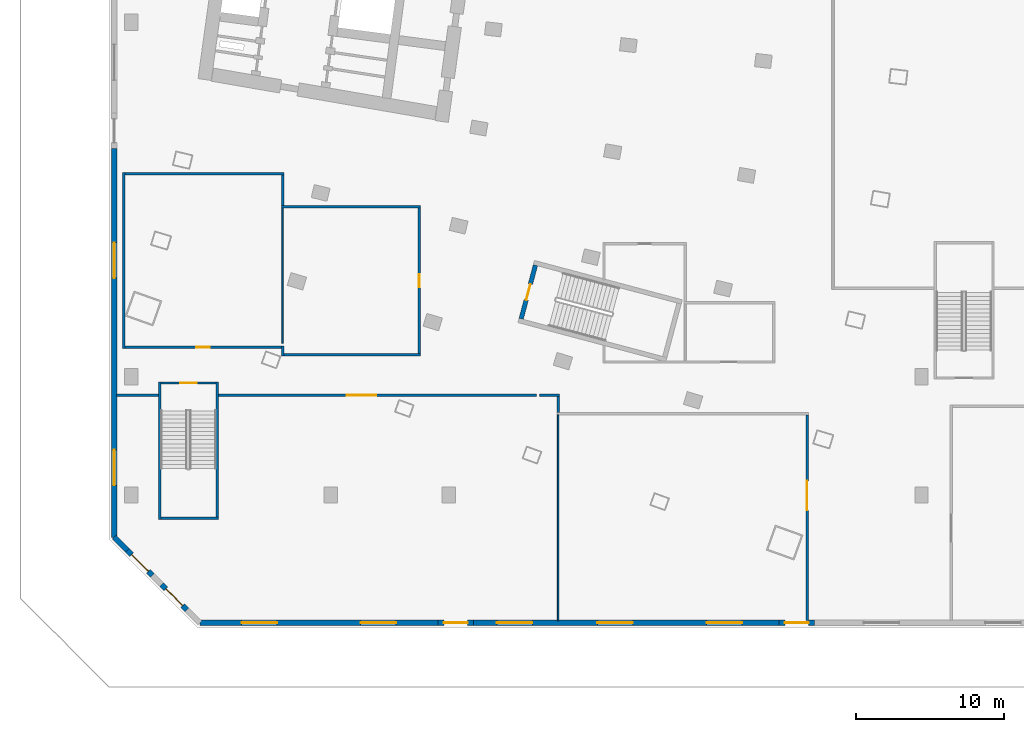
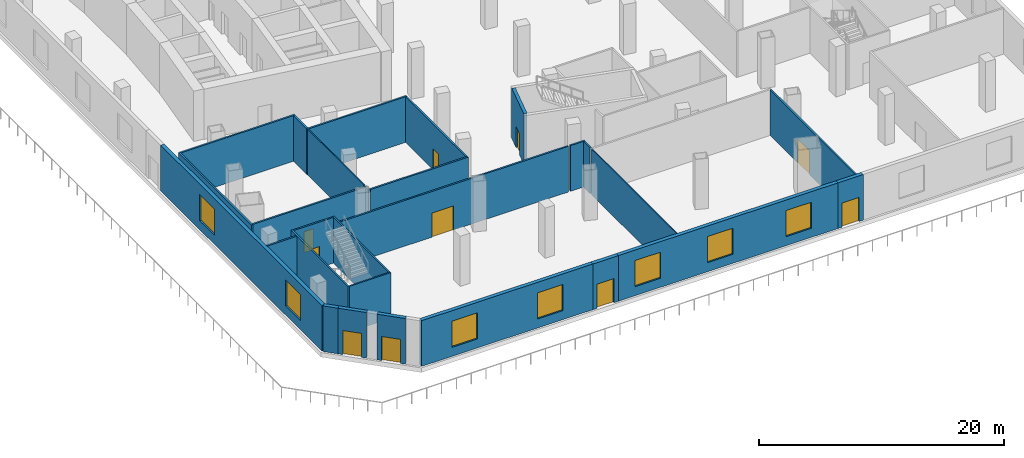
# One storey, part 2 of 15: 28 walls, 10 doors, 7 windows, 17 openings.
"""IFC4 building model written with IfcOpenShell, lengths in metres."""

from ifc_helpers import new_model, si_unit, direction, frame, frame_2d, origin, place, context, subcontext, project, spatial, rectangle, extrude, material, layer, layer_set, type_object, element, fill, save


model = new_model("IFC4")

# Units and contexts
model_context = context("Model", 3, precision=1e-05, world=origin(), true_north=direction((0.0, 1.0)))
body_context = subcontext(model_context, "Body", "Model", "MODEL_VIEW")
ifc_project = project(units=[si_unit("LENGTHUNIT", "METRE"), si_unit("AREAUNIT", "SQUARE_METRE"), si_unit("VOLUMEUNIT", "CUBIC_METRE"), si_unit("PLANEANGLEUNIT", "RADIAN"), si_unit("MASSUNIT", "GRAM", prefix="KILO")], contexts=[model_context])

# Site, building, storey
site_placement = place(None, origin())
site = spatial("IfcSite", under=ifc_project, at=site_placement, CompositionType="ELEMENT")
building_placement = place(site_placement, origin())
building = spatial("IfcBuilding", under=site, at=building_placement, Name="Alderwake Tower", CompositionType="ELEMENT")
storey_placement = place(building_placement, frame((0.0, 0.0, 13.5)))
storey = spatial("IfcBuildingStorey", under=building, at=storey_placement, Name="L02", CompositionType="ELEMENT", Elevation=13.5)

# Wall, opening, door
ifc_material_1 = material(Name="Concrete C70/85", Category="concrete")
ifc_layer_1 = layer(ifc_material_1, 0.300048828125)
ifc_layer_set_1 = layer_set([ifc_layer_1], Name="Core wall stair enclosure 300 C70-85")
wall_type_1 = type_object("IfcWallType", Name="Core wall stair enclosure 300 C70-85", PredefinedType="SHEAR", material=ifc_layer_set_1)
wall_1_placement = place(storey_placement, frame((36.89501953125, 27.923828125, 0.0), z_axis=(0.0, 0.0, 1.0), x_axis=(0.257350630826, 0.966318090907, 0.0)))
wall_1 = element("IfcWall", 1, at=wall_1_placement, inside=storey, type_object=wall_type_1, Name="Core wall CW.087", PredefinedType="SHEAR", context=body_context, shape_type="SweptSolid", body=[
    extrude(rectangle(XDim=3.75, YDim=0.300048828125, at=frame_2d((1.875, 0.0))), origin(), (0.0, 0.0, 1.0), 5.0),
])
opening_1_placement = place(wall_1_placement, frame((1.324951171875, 0.0, 0.0)))
opening_1 = element("IfcOpeningElement", 2, at=opening_1_placement, cuts=wall_1, Name="Opening C065", PredefinedType="OPENING", context=body_context, shape_type="SweptSolid", body=[
    extrude(rectangle(XDim=1.10009765625, YDim=2.10009765625, at=frame_2d((0.550048828125, 1.050048828125))), frame((0.0, 0.159912109375, 0.0), z_axis=(0.0, -1.0, 0.0), x_axis=(1.0, 0.0, 0.0)), (0.0, 0.0, 1.0), 0.320068359375),
])
ifc_material_2 = material(Name="Steel-framed fire door leaf", Category="steel")
door_type_1 = type_object("IfcDoorType", Name="Core stair door 1100 fire-rated", OperationType="SINGLE_SWING_LEFT", PredefinedType="DOOR", material=ifc_material_2)
door_1_placement = place(opening_1_placement, origin())
door_1 = element("IfcDoor", 3, at=door_1_placement, inside=storey, type_object=door_type_1, Name="Stair door", OperationType="SINGLE_SWING_LEFT", OverallHeight=2.10009765625, OverallWidth=1.10009765625, PredefinedType="DOOR", context=body_context, shape_type="SweptSolid", body=[
    extrude(rectangle(XDim=1.10009765625, YDim=2.10009765625, at=frame_2d((0.550048828125, 1.050048828125))), frame((0.0, 0.02490234375, 0.0), z_axis=(0.0, -1.0, 0.0), x_axis=(1.0, 0.0, 0.0)), (0.0, 0.0, 1.0), 0.050048828125),
])
fill(opening_1, door_1)

# Walls
ifc_material_3 = material(Name="Gypsum board on metal studs, rated")
ifc_layer_2 = layer(ifc_material_3, 0.159912109375)
ifc_layer_set_2 = layer_set([ifc_layer_2], Name="Corridor wall 160")
wall_type_2 = type_object("IfcWallType", Name="Corridor wall 160", PredefinedType="PARTITIONING", material=ifc_layer_set_2)
wall_2_placement = place(storey_placement, frame((9.5009765625, 22.7490234375, 0.0), z_axis=(0.0, 0.0, 1.0), x_axis=(1.0, 0.0, 0.0)))
element("IfcWall", 4, at=wall_2_placement, inside=storey, type_object=wall_type_2, Name="WL/L02/W21", PredefinedType="PARTITIONING", context=body_context, shape_type="SweptSolid", body=[
    extrude(rectangle(XDim=2.85009765625, YDim=0.159912109375, at=frame_2d((1.425048828125, 0.0))), origin(), (0.0, 0.0, 1.0), 4.550048828125),
])
wall_3_placement = place(storey_placement, frame((9.9990234375, 25.9208984375, 0.0), z_axis=(0.0, 0.0, 1.0), x_axis=(0.0, 1.0, 0.0)))
element("IfcWall", 5, at=wall_3_placement, inside=storey, type_object=wall_type_2, Name="WL/L02/W22", PredefinedType="PARTITIONING", context=body_context, shape_type="SweptSolid", body=[
    extrude(rectangle(XDim=11.908203125, YDim=0.159912109375, at=frame_2d((5.9541015625, 0.0))), origin(), (0.0, 0.0, 1.0), 4.550048828125),
])

# Wall, opening, door
wall_4_placement = place(storey_placement, frame((16.40087890625, 22.7490234375, 0.0), z_axis=(0.0, 0.0, 1.0), x_axis=(1.0, 0.0, 0.0)))
wall_4 = element("IfcWall", 6, at=wall_4_placement, inside=storey, type_object=wall_type_2, Name="WL/L02/W23", PredefinedType="PARTITIONING", context=body_context, shape_type="SweptSolid", body=[
    extrude(rectangle(XDim=21.51513671875, YDim=0.159912109375, at=frame_2d((10.757568359375, 0.0))), origin(), (0.0, 0.0, 1.0), 4.550048828125),
])
opening_2_placement = place(wall_4_placement, frame((8.674072265625, 0.0, 0.0)))
opening_2 = element("IfcOpeningElement", 7, at=opening_2_placement, cuts=wall_4, Name="Opening L02-10", PredefinedType="OPENING", context=body_context, shape_type="SweptSolid", body=[
    extrude(rectangle(XDim=2.0, YDim=2.39990234375, at=frame_2d((1.0, 1.199951171875))), frame((0.0, 0.08984375, 0.0), z_axis=(0.0, -1.0, 0.0), x_axis=(1.0, 0.0, 0.0)), (0.0, 0.0, 1.0), 0.179931640625),
])
ifc_material_4 = material(Name="Timber leaves with glazed panels", Category="wood")
door_type_2 = type_object("IfcDoorType", Name="Hall double door 2000", OperationType="DOUBLE_DOOR_SINGLE_SWING", PredefinedType="DOOR", material=ifc_material_4)
door_2_placement = place(opening_2_placement, origin())
door_2 = element("IfcDoor", 8, at=door_2_placement, inside=storey, type_object=door_type_2, Name="DR/L02/10", OperationType="DOUBLE_DOOR_SINGLE_SWING", OverallHeight=2.39990234375, OverallWidth=2.0, PredefinedType="DOOR", context=body_context, shape_type="SweptSolid", body=[
    extrude(rectangle(XDim=2.0, YDim=2.39990234375, at=frame_2d((1.0, 1.199951171875))), frame((0.0, 0.02490234375, 0.0), z_axis=(0.0, -1.0, 0.0), x_axis=(1.0, 0.0, 0.0)), (0.0, 0.0, 1.0), 0.050048828125),
])
fill(opening_2, door_2)

# Wall
wall_5_placement = place(storey_placement, frame((20.7509765625, 25.419921875, 0.0), z_axis=(0.0, 0.0, 1.0), x_axis=(0.0, 1.0, 0.0)))
element("IfcWall", 9, at=wall_5_placement, inside=storey, type_object=wall_type_2, Name="WL/L02/W26", PredefinedType="PARTITIONING", context=body_context, shape_type="SweptSolid", body=[
    extrude(rectangle(XDim=0.6611328125, YDim=0.159912109375, at=frame_2d((0.33056640625, 0.0))), origin(), (0.0, 0.0, 1.0), 4.550048828125),
])

# Wall, opening, door
wall_6_placement = place(storey_placement, frame((20.6708984375, 26.0009765625, 0.0), z_axis=(0.0, 0.0, 1.0), x_axis=(-1.0, 0.0, 0.0)))
wall_6 = element("IfcWall", 10, at=wall_6_placement, inside=storey, type_object=wall_type_2, Name="WL/L02/W27", PredefinedType="PARTITIONING", context=body_context, shape_type="SweptSolid", body=[
    extrude(rectangle(XDim=10.591796875, YDim=0.159912109375, at=frame_2d((5.2958984375, 0.0))), origin(), (0.0, 0.0, 1.0), 4.550048828125),
])
opening_3_placement = place(wall_6_placement, frame((4.87109375, 0.0, 0.0)))
opening_3 = element("IfcOpeningElement", 11, at=opening_3_placement, cuts=wall_6, Name="Opening L02-11", PredefinedType="OPENING", context=body_context, shape_type="SweptSolid", body=[
    extrude(rectangle(XDim=0.89990234375, YDim=2.10009765625, at=frame_2d((0.449951171875, 1.050048828125))), frame((0.0, 0.08984375, 0.0), z_axis=(0.0, -1.0, 0.0), x_axis=(1.0, 0.0, 0.0)), (0.0, 0.0, 1.0), 0.179931640625),
])
ifc_material_5 = material(Name="Painted timber leaf", Category="wood")
door_type_3 = type_object("IfcDoorType", Name="Room door 900", OperationType="SINGLE_SWING_LEFT", PredefinedType="DOOR", material=ifc_material_5)
door_3_placement = place(opening_3_placement, origin())
door_3 = element("IfcDoor", 12, at=door_3_placement, inside=storey, type_object=door_type_3, Name="DR/L02/11", OperationType="SINGLE_SWING_LEFT", OverallHeight=2.10009765625, OverallWidth=0.89990234375, PredefinedType="DOOR", context=body_context, shape_type="SweptSolid", body=[
    extrude(rectangle(XDim=0.89990234375, YDim=2.10009765625, at=frame_2d((0.449951171875, 1.050048828125))), frame((0.0, 0.02490234375, 0.0), z_axis=(0.0, -1.0, 0.0), x_axis=(1.0, 0.0, 0.0)), (0.0, 0.0, 1.0), 0.050048828125),
])
fill(opening_3, door_3)

# Walls
wall_7_placement = place(storey_placement, frame((20.6708984375, 35.4990234375, 0.0), z_axis=(0.0, 0.0, 1.0), x_axis=(1.0, 0.0, 0.0)))
element("IfcWall", 13, at=wall_7_placement, inside=storey, type_object=wall_type_2, Name="WL/L02/W28", PredefinedType="PARTITIONING", context=body_context, shape_type="SweptSolid", body=[
    extrude(rectangle(XDim=9.4091796875, YDim=0.159912109375, at=frame_2d((4.70458984375, 0.0))), origin(), (0.0, 0.0, 1.0), 4.550048828125),
])
wall_8_placement = place(storey_placement, frame((20.8310546875, 37.7490234375, 0.0), z_axis=(0.0, 0.0, 1.0), x_axis=(-1.0, 0.0, 0.0)))
element("IfcWall", 14, at=wall_8_placement, inside=storey, type_object=wall_type_2, Name="WL/L02/W29", PredefinedType="PARTITIONING", context=body_context, shape_type="SweptSolid", body=[
    extrude(rectangle(XDim=10.751953125, YDim=0.159912109375, at=frame_2d((5.3759765625, 0.0))), origin(), (0.0, 0.0, 1.0), 4.550048828125),
])
wall_9_placement = place(storey_placement, frame((20.7509765625, 37.6689453125, 0.0), z_axis=(0.0, 0.0, 1.0), x_axis=(0.0, -1.0, 0.0)))
element("IfcWall", 15, at=wall_9_placement, inside=storey, type_object=wall_type_2, Name="WL/L02/W30", PredefinedType="PARTITIONING", context=body_context, shape_type="SweptSolid", body=[
    extrude(rectangle(XDim=2.08984375, YDim=0.159912109375, at=frame_2d((1.044921875, 0.0))), origin(), (0.0, 0.0, 1.0), 4.550048828125),
])
wall_10_placement = place(storey_placement, frame((30.080078125, 25.5, 0.0), z_axis=(0.0, 0.0, 1.0), x_axis=(-1.0, 0.0, 0.0)))
element("IfcWall", 16, at=wall_10_placement, inside=storey, type_object=wall_type_2, Name="WL/L02/W31", PredefinedType="PARTITIONING", context=body_context, shape_type="SweptSolid", body=[
    extrude(rectangle(XDim=9.2490234375, YDim=0.159912109375, at=frame_2d((4.62451171875, 0.0))), origin(), (0.0, 0.0, 1.0), 4.550048828125),
])

# Wall, opening, door
wall_11_placement = place(storey_placement, frame((30.0, 35.4189453125, 0.0), z_axis=(0.0, 0.0, 1.0), x_axis=(0.0, -1.0, 0.0)))
wall_11 = element("IfcWall", 17, at=wall_11_placement, inside=storey, type_object=wall_type_2, Name="WL/L02/W32", PredefinedType="PARTITIONING", context=body_context, shape_type="SweptSolid", body=[
    extrude(rectangle(XDim=9.8388671875, YDim=0.159912109375, at=frame_2d((4.91943359375, 0.0))), origin(), (0.0, 0.0, 1.0), 4.550048828125),
])
opening_4_placement = place(wall_11_placement, frame((4.468994140625, 0.0, 0.0)))
opening_4 = element("IfcOpeningElement", 18, at=opening_4_placement, cuts=wall_11, Name="Opening L02-12", PredefinedType="OPENING", context=body_context, shape_type="SweptSolid", body=[
    extrude(rectangle(XDim=0.89990234375, YDim=2.10009765625, at=frame_2d((0.449951171875, 1.050048828125))), frame((0.0, 0.08984375, 0.0), z_axis=(0.0, -1.0, 0.0), x_axis=(1.0, 0.0, 0.0)), (0.0, 0.0, 1.0), 0.179931640625),
])
door_4_placement = place(opening_4_placement, origin())
door_4 = element("IfcDoor", 19, at=door_4_placement, inside=storey, type_object=door_type_3, Name="DR/L02/12", OperationType="SINGLE_SWING_LEFT", OverallHeight=2.10009765625, OverallWidth=0.89990234375, PredefinedType="DOOR", context=body_context, shape_type="SweptSolid", body=[
    extrude(rectangle(XDim=0.89990234375, YDim=2.10009765625, at=frame_2d((0.449951171875, 1.050048828125))), frame((0.0, 0.02490234375, 0.0), z_axis=(0.0, -1.0, 0.0), x_axis=(1.0, 0.0, 0.0)), (0.0, 0.0, 1.0), 0.050048828125),
])
fill(opening_4, door_4)

# Walls
wall_12_placement = place(storey_placement, frame((38.123779296875, 22.7490234375, 0.0), z_axis=(0.0, 0.0, 1.0), x_axis=(1.0, 0.0, 0.0)))
element("IfcWall", 20, at=wall_12_placement, inside=storey, type_object=wall_type_2, Name="WL/L02/W37", PredefinedType="PARTITIONING", context=body_context, shape_type="SweptSolid", body=[
    extrude(rectangle(XDim=1.355224609375, YDim=0.159912109375, at=frame_2d((0.677734375, 0.0))), origin(), (0.0, 0.0, 1.0), 4.550048828125),
])
wall_13_placement = place(storey_placement, frame((39.39892578125, 22.6689453125, 0.0), z_axis=(0.0, 0.0, 1.0), x_axis=(0.0, -1.0, 0.0)))
element("IfcWall", 21, at=wall_13_placement, inside=storey, type_object=wall_type_2, Name="WL/L02/W39", PredefinedType="PARTITIONING", context=body_context, shape_type="SweptSolid", body=[
    extrude(rectangle(XDim=1.087890625, YDim=0.159912109375, at=frame_2d((0.5439453125, 0.0))), origin(), (0.0, 0.0, 1.0), 4.550048828125),
])

# Wall, opening, door
wall_14_placement = place(storey_placement, frame((56.25, 21.4208984375, 0.0), z_axis=(0.0, 0.0, 1.0), x_axis=(0.0, -1.0, 0.0)))
wall_14 = element("IfcWall", 22, at=wall_14_placement, inside=storey, type_object=wall_type_2, Name="WL/L02/W48", PredefinedType="PARTITIONING", context=body_context, shape_type="SweptSolid", body=[
    extrude(rectangle(XDim=13.9208984375, YDim=0.159912109375, at=frame_2d((6.96044921875, 0.0))), origin(), (0.0, 0.0, 1.0), 4.550048828125),
])
opening_5_placement = place(wall_14_placement, frame((4.470947265625, 0.0, 0.0)))
opening_5 = element("IfcOpeningElement", 23, at=opening_5_placement, cuts=wall_14, Name="Opening L02-09", PredefinedType="OPENING", context=body_context, shape_type="SweptSolid", body=[
    extrude(rectangle(XDim=2.0, YDim=2.39990234375, at=frame_2d((1.0, 1.199951171875))), frame((0.0, 0.08984375, 0.0), z_axis=(0.0, -1.0, 0.0), x_axis=(1.0, 0.0, 0.0)), (0.0, 0.0, 1.0), 0.179931640625),
])
door_5_placement = place(opening_5_placement, origin())
door_5 = element("IfcDoor", 24, at=door_5_placement, inside=storey, type_object=door_type_2, Name="DR/L02/09", OperationType="DOUBLE_DOOR_SINGLE_SWING", OverallHeight=2.39990234375, OverallWidth=2.0, PredefinedType="DOOR", context=body_context, shape_type="SweptSolid", body=[
    extrude(rectangle(XDim=2.0, YDim=2.39990234375, at=frame_2d((1.0, 1.199951171875))), frame((0.0, 0.02490234375, 0.0), z_axis=(0.0, -1.0, 0.0), x_axis=(1.0, 0.0, 0.0)), (0.0, 0.0, 1.0), 0.050048828125),
])
fill(opening_5, door_5)

# Wall, openings, windows
ifc_material_6 = material(Name="Precast concrete C50/60 spandrel panel", Category="concrete")
ifc_layer_3 = layer(ifc_material_6, 0.35009765625)
ifc_layer_set_3 = layer_set([ifc_layer_3], Name="External wall EW4 Precast concrete C50/60 podium")
wall_type_3 = type_object("IfcWallType", Name="External wall EW4 Precast concrete C50/60 podium", PredefinedType="SOLIDWALL", material=ifc_layer_set_3)
wall_15_placement = place(storey_placement, frame((15.14501953125, 7.35009765625, 0.0), z_axis=(0.0, 0.0, 1.0), x_axis=(1.0, 0.0, 0.0)))
wall_15 = element("IfcWall", 25, at=wall_15_placement, inside=storey, type_object=wall_type_3, Name="External wall 1", PredefinedType="SOLIDWALL", context=body_context, shape_type="SweptSolid", body=[
    extrude(rectangle(XDim=16.117431640625, YDim=0.35009765625, at=frame_2d((8.05859375, 0.0))), origin(), (0.0, 0.0, 1.0), 4.550048828125),
])
opening_6_placement = place(wall_15_placement, frame((2.829345703125, 0.0, 0.89990234375)))
opening_6 = element("IfcOpeningElement", 26, at=opening_6_placement, cuts=wall_15, Name="Opening W6", PredefinedType="OPENING", context=body_context, shape_type="SweptSolid", body=[
    extrude(rectangle(XDim=2.39990234375, YDim=2.60009765625, at=frame_2d((1.199951171875, 1.300048828125))), frame((0.0, 0.18505859375, 0.0), z_axis=(0.0, -1.0, 0.0), x_axis=(1.0, 0.0, 0.0)), (0.0, 0.0, 1.0), 0.3701171875),
])
opening_7_placement = place(wall_15_placement, frame((10.88818359375, 0.0, 0.89990234375)))
opening_7 = element("IfcOpeningElement", 27, at=opening_7_placement, cuts=wall_15, Name="Opening W6", PredefinedType="OPENING", context=body_context, shape_type="SweptSolid", body=[
    extrude(rectangle(XDim=2.39990234375, YDim=2.60009765625, at=frame_2d((1.199951171875, 1.300048828125))), frame((0.0, 0.18505859375, 0.0), z_axis=(0.0, -1.0, 0.0), x_axis=(1.0, 0.0, 0.0)), (0.0, 0.0, 1.0), 0.3701171875),
])
ifc_material_7 = material(Name="Bronze tinted glass in aluminium frame", Category="aluminium")
window_type = type_object("IfcWindowType", Name="Window W6 podium", PartitioningType="DOUBLE_PANEL_VERTICAL", PredefinedType="WINDOW", material=ifc_material_7)
window_1_placement = place(opening_6_placement, origin())
window_1 = element("IfcWindow", 28, at=window_1_placement, inside=storey, type_object=window_type, Name="Window W6 podium", OverallHeight=2.60009765625, OverallWidth=2.39990234375, PartitioningType="DOUBLE_PANEL_VERTICAL", PredefinedType="WINDOW", context=body_context, shape_type="SweptSolid", body=[
    extrude(rectangle(XDim=2.39990234375, YDim=2.60009765625, at=frame_2d((1.199951171875, 1.300048828125))), frame((0.0, 0.030029296875, 0.0), z_axis=(0.0, -1.0, 0.0), x_axis=(1.0, 0.0, 0.0)), (0.0, 0.0, 1.0), 0.06005859375),
])
fill(opening_6, window_1)
window_2_placement = place(opening_7_placement, origin())
window_2 = element("IfcWindow", 29, at=window_2_placement, inside=storey, type_object=window_type, Name="Window W6 podium", OverallHeight=2.60009765625, OverallWidth=2.39990234375, PartitioningType="DOUBLE_PANEL_VERTICAL", PredefinedType="WINDOW", context=body_context, shape_type="SweptSolid", body=[
    extrude(rectangle(XDim=2.39990234375, YDim=2.60009765625, at=frame_2d((1.199951171875, 1.300048828125))), frame((0.0, 0.030029296875, 0.0), z_axis=(0.0, -1.0, 0.0), x_axis=(1.0, 0.0, 0.0)), (0.0, 0.0, 1.0), 0.06005859375),
])
fill(opening_7, window_2)

# Wall, opening, door
wall_16_placement = place(storey_placement, frame((31.262451171875, 7.35009765625, 0.0), z_axis=(0.0, 0.0, 1.0), x_axis=(1.0, 0.0, 0.0)))
wall_16 = element("IfcWall", 30, at=wall_16_placement, inside=storey, type_object=wall_type_3, Name="External wall 2", PredefinedType="SOLIDWALL", context=body_context, shape_type="SweptSolid", body=[
    extrude(rectangle(XDim=2.400146484375, YDim=0.35009765625, at=frame_2d((1.2001953125, 0.0))), origin(), (0.0, 0.0, 1.0), 4.550048828125),
])
opening_8_placement = place(wall_16_placement, frame((0.39990234375, 0.0, 0.0)))
opening_8 = element("IfcOpeningElement", 31, at=opening_8_placement, cuts=wall_16, Name="Opening D01", PredefinedType="OPENING", context=body_context, shape_type="SweptSolid", body=[
    extrude(rectangle(XDim=1.60009765625, YDim=2.39990234375, at=frame_2d((0.800048828125, 1.199951171875))), frame((0.0, 0.18505859375, 0.0), z_axis=(0.0, -1.0, 0.0), x_axis=(1.0, 0.0, 0.0)), (0.0, 0.0, 1.0), 0.3701171875),
])
ifc_material_8 = material(Name="Bronze tinted glass in aluminium frame", Category="aluminium")
door_type_4 = type_object("IfcDoorType", Name="Terrace door TD sliding", OperationType="SLIDING_TO_LEFT", PredefinedType="DOOR", material=ifc_material_8)
door_6_placement = place(opening_8_placement, origin())
door_6 = element("IfcDoor", 32, at=door_6_placement, inside=storey, type_object=door_type_4, Name="Door D01", OperationType="SLIDING_TO_LEFT", OverallHeight=2.39990234375, OverallWidth=1.60009765625, PredefinedType="DOOR", context=body_context, shape_type="SweptSolid", body=[
    extrude(rectangle(XDim=1.60009765625, YDim=2.39990234375, at=frame_2d((0.800048828125, 1.199951171875))), frame((0.0, 0.02490234375, 0.0), z_axis=(0.0, -1.0, 0.0), x_axis=(1.0, 0.0, 0.0)), (0.0, 0.0, 1.0), 0.050048828125),
])
fill(opening_8, door_6)

# Wall, openings, windows
wall_17_placement = place(storey_placement, frame((33.66259765625, 7.35009765625, 0.0), z_axis=(0.0, 0.0, 1.0), x_axis=(1.0, 0.0, 0.0)))
wall_17 = element("IfcWall", 33, at=wall_17_placement, inside=storey, type_object=wall_type_3, Name="External wall 3", PredefinedType="SOLIDWALL", context=body_context, shape_type="SweptSolid", body=[
    extrude(rectangle(XDim=20.68994140625, YDim=0.35009765625, at=frame_2d((10.344970703125, 0.0))), origin(), (0.0, 0.0, 1.0), 4.550048828125),
])
opening_9_placement = place(wall_17_placement, frame((1.59326171875, 0.0, 0.89990234375)))
opening_9 = element("IfcOpeningElement", 34, at=opening_9_placement, cuts=wall_17, Name="Opening W6", PredefinedType="OPENING", context=body_context, shape_type="SweptSolid", body=[
    extrude(rectangle(XDim=2.39990234375, YDim=2.60009765625, at=frame_2d((1.199951171875, 1.300048828125))), frame((0.0, 0.18505859375, 0.0), z_axis=(0.0, -1.0, 0.0), x_axis=(1.0, 0.0, 0.0)), (0.0, 0.0, 1.0), 0.3701171875),
])
opening_10_placement = place(wall_17_placement, frame((8.387451171875, 0.0, 0.89990234375)))
opening_10 = element("IfcOpeningElement", 35, at=opening_10_placement, cuts=wall_17, Name="Opening W6", PredefinedType="OPENING", context=body_context, shape_type="SweptSolid", body=[
    extrude(rectangle(XDim=2.39990234375, YDim=2.60009765625, at=frame_2d((1.199951171875, 1.300048828125))), frame((0.0, 0.18505859375, 0.0), z_axis=(0.0, -1.0, 0.0), x_axis=(1.0, 0.0, 0.0)), (0.0, 0.0, 1.0), 0.3701171875),
])
opening_11_placement = place(wall_17_placement, frame((15.7890625, 0.0, 0.89990234375)))
opening_11 = element("IfcOpeningElement", 36, at=opening_11_placement, cuts=wall_17, Name="Opening W6", PredefinedType="OPENING", context=body_context, shape_type="SweptSolid", body=[
    extrude(rectangle(XDim=2.39990234375, YDim=2.60009765625, at=frame_2d((1.199951171875, 1.300048828125))), frame((0.0, 0.18505859375, 0.0), z_axis=(0.0, -1.0, 0.0), x_axis=(1.0, 0.0, 0.0)), (0.0, 0.0, 1.0), 0.3701171875),
])
window_3_placement = place(opening_9_placement, origin())
window_3 = element("IfcWindow", 37, at=window_3_placement, inside=storey, type_object=window_type, Name="Window W6 podium", OverallHeight=2.60009765625, OverallWidth=2.39990234375, PartitioningType="DOUBLE_PANEL_VERTICAL", PredefinedType="WINDOW", context=body_context, shape_type="SweptSolid", body=[
    extrude(rectangle(XDim=2.39990234375, YDim=2.60009765625, at=frame_2d((1.199951171875, 1.300048828125))), frame((0.0, 0.030029296875, 0.0), z_axis=(0.0, -1.0, 0.0), x_axis=(1.0, 0.0, 0.0)), (0.0, 0.0, 1.0), 0.06005859375),
])
fill(opening_9, window_3)
window_4_placement = place(opening_10_placement, origin())
window_4 = element("IfcWindow", 38, at=window_4_placement, inside=storey, type_object=window_type, Name="Window W6 podium", OverallHeight=2.60009765625, OverallWidth=2.39990234375, PartitioningType="DOUBLE_PANEL_VERTICAL", PredefinedType="WINDOW", context=body_context, shape_type="SweptSolid", body=[
    extrude(rectangle(XDim=2.39990234375, YDim=2.60009765625, at=frame_2d((1.199951171875, 1.300048828125))), frame((0.0, 0.030029296875, 0.0), z_axis=(0.0, -1.0, 0.0), x_axis=(1.0, 0.0, 0.0)), (0.0, 0.0, 1.0), 0.06005859375),
])
fill(opening_10, window_4)
window_5_placement = place(opening_11_placement, origin())
window_5 = element("IfcWindow", 39, at=window_5_placement, inside=storey, type_object=window_type, Name="Window W6 podium", OverallHeight=2.60009765625, OverallWidth=2.39990234375, PartitioningType="DOUBLE_PANEL_VERTICAL", PredefinedType="WINDOW", context=body_context, shape_type="SweptSolid", body=[
    extrude(rectangle(XDim=2.39990234375, YDim=2.60009765625, at=frame_2d((1.199951171875, 1.300048828125))), frame((0.0, 0.030029296875, 0.0), z_axis=(0.0, -1.0, 0.0), x_axis=(1.0, 0.0, 0.0)), (0.0, 0.0, 1.0), 0.06005859375),
])
fill(opening_11, window_5)

# Wall, opening, door
wall_18_placement = place(storey_placement, frame((54.3525390625, 7.35009765625, 0.0), z_axis=(0.0, 0.0, 1.0), x_axis=(1.0, 0.0, 0.0)))
wall_18 = element("IfcWall", 40, at=wall_18_placement, inside=storey, type_object=wall_type_3, Name="External wall 4", PredefinedType="SOLIDWALL", context=body_context, shape_type="SweptSolid", body=[
    extrude(rectangle(XDim=2.39990234375, YDim=0.35009765625, at=frame_2d((1.199951171875, 0.0))), origin(), (0.0, 0.0, 1.0), 4.550048828125),
])
opening_12_placement = place(wall_18_placement, frame((0.39990234375, 0.0, 0.0)))
opening_12 = element("IfcOpeningElement", 41, at=opening_12_placement, cuts=wall_18, Name="Opening D02", PredefinedType="OPENING", context=body_context, shape_type="SweptSolid", body=[
    extrude(rectangle(XDim=1.60009765625, YDim=2.39990234375, at=frame_2d((0.800048828125, 1.199951171875))), frame((0.0, 0.18505859375, 0.0), z_axis=(0.0, -1.0, 0.0), x_axis=(1.0, 0.0, 0.0)), (0.0, 0.0, 1.0), 0.3701171875),
])
door_7_placement = place(opening_12_placement, origin())
door_7 = element("IfcDoor", 42, at=door_7_placement, inside=storey, type_object=door_type_4, Name="Door D02", OperationType="SLIDING_TO_LEFT", OverallHeight=2.39990234375, OverallWidth=1.60009765625, PredefinedType="DOOR", context=body_context, shape_type="SweptSolid", body=[
    extrude(rectangle(XDim=1.60009765625, YDim=2.39990234375, at=frame_2d((0.800048828125, 1.199951171875))), frame((0.0, 0.02490234375, 0.0), z_axis=(0.0, -1.0, 0.0), x_axis=(1.0, 0.0, 0.0)), (0.0, 0.0, 1.0), 0.050048828125),
])
fill(opening_12, door_7)

# Wall, openings, windows
wall_19_placement = place(storey_placement, frame((9.35009765625, 39.447509765625, 0.0), z_axis=(0.0, 0.0, 1.0), x_axis=(0.0, -1.0, 0.0)))
wall_19 = element("IfcWall", 43, at=wall_19_placement, inside=storey, type_object=wall_type_3, Name="External wall 31", PredefinedType="SOLIDWALL", context=body_context, shape_type="SweptSolid", body=[
    extrude(rectangle(XDim=26.317626953125, YDim=0.35009765625, at=frame_2d((13.15869140625, 0.0))), origin(), (0.0, 0.0, 1.0), 4.550048828125),
])
opening_13_placement = place(wall_19_placement, frame((6.37255859375, 0.0, 0.89990234375)))
opening_13 = element("IfcOpeningElement", 44, at=opening_13_placement, cuts=wall_19, Name="Opening W6", PredefinedType="OPENING", context=body_context, shape_type="SweptSolid", body=[
    extrude(rectangle(XDim=2.39990234375, YDim=2.60009765625, at=frame_2d((1.199951171875, 1.300048828125))), frame((0.0, 0.18505859375, 0.0), z_axis=(0.0, -1.0, 0.0), x_axis=(1.0, 0.0, 0.0)), (0.0, 0.0, 1.0), 0.3701171875),
])
opening_14_placement = place(wall_19_placement, frame((20.39794921875, 0.0, 0.89990234375)))
opening_14 = element("IfcOpeningElement", 45, at=opening_14_placement, cuts=wall_19, Name="Opening W6", PredefinedType="OPENING", context=body_context, shape_type="SweptSolid", body=[
    extrude(rectangle(XDim=2.39990234375, YDim=2.60009765625, at=frame_2d((1.199951171875, 1.300048828125))), frame((0.0, 0.18505859375, 0.0), z_axis=(0.0, -1.0, 0.0), x_axis=(1.0, 0.0, 0.0)), (0.0, 0.0, 1.0), 0.3701171875),
])
window_6_placement = place(opening_13_placement, origin())
window_6 = element("IfcWindow", 46, at=window_6_placement, inside=storey, type_object=window_type, Name="Window W6 podium", OverallHeight=2.60009765625, OverallWidth=2.39990234375, PartitioningType="DOUBLE_PANEL_VERTICAL", PredefinedType="WINDOW", context=body_context, shape_type="SweptSolid", body=[
    extrude(rectangle(XDim=2.39990234375, YDim=2.60009765625, at=frame_2d((1.199951171875, 1.300048828125))), frame((0.0, 0.030029296875, 0.0), z_axis=(0.0, -1.0, 0.0), x_axis=(1.0, 0.0, 0.0)), (0.0, 0.0, 1.0), 0.06005859375),
])
fill(opening_13, window_6)
window_7_placement = place(opening_14_placement, origin())
window_7 = element("IfcWindow", 47, at=window_7_placement, inside=storey, type_object=window_type, Name="Window W6 podium", OverallHeight=2.60009765625, OverallWidth=2.39990234375, PartitioningType="DOUBLE_PANEL_VERTICAL", PredefinedType="WINDOW", context=body_context, shape_type="SweptSolid", body=[
    extrude(rectangle(XDim=2.39990234375, YDim=2.60009765625, at=frame_2d((1.199951171875, 1.300048828125))), frame((0.0, 0.030029296875, 0.0), z_axis=(0.0, -1.0, 0.0), x_axis=(1.0, 0.0, 0.0)), (0.0, 0.0, 1.0), 0.06005859375),
])
fill(opening_14, window_7)

# Wall
wall_20_placement = place(storey_placement, frame((9.35009765625, 13.14501953125, 0.0), z_axis=(0.0, 0.0, 1.0), x_axis=(0.707010135691, -0.707203413475, 0.0)))
element("IfcWall", 48, at=wall_20_placement, inside=storey, type_object=wall_type_3, Name="External wall 32", PredefinedType="SOLIDWALL", context=body_context, shape_type="SweptSolid", body=[
    extrude(rectangle(XDim=1.26318359375, YDim=0.35009765625, at=frame_2d((0.631591796875, 0.0))), origin(), (0.0, 0.0, 1.0), 4.550048828125),
])

# Wall, opening, door
wall_21_placement = place(storey_placement, frame((10.2431640625, 12.251708984375, 0.0), z_axis=(0.0, 0.0, 1.0), x_axis=(0.707106781187, -0.707106781187, 0.0)))
wall_21 = element("IfcWall", 49, at=wall_21_placement, inside=storey, type_object=wall_type_3, Name="External wall 33", PredefinedType="SOLIDWALL", context=body_context, shape_type="SweptSolid", body=[
    extrude(rectangle(XDim=2.39990234375, YDim=0.35009765625, at=frame_2d((1.199951171875, 0.0))), origin(), (0.0, 0.0, 1.0), 4.550048828125),
])
opening_15_placement = place(wall_21_placement, frame((0.39990234375, 0.0, 0.0)))
opening_15 = element("IfcOpeningElement", 50, at=opening_15_placement, cuts=wall_21, Name="Opening D13", PredefinedType="OPENING", context=body_context, shape_type="SweptSolid", body=[
    extrude(rectangle(XDim=1.60009765625, YDim=2.39990234375, at=frame_2d((0.800048828125, 1.199951171875))), frame((0.0, 0.18505859375, 0.0), z_axis=(0.0, -1.0, 0.0), x_axis=(1.0, 0.0, 0.0)), (0.0, 0.0, 1.0), 0.3701171875),
])
door_8_placement = place(opening_15_placement, origin())
door_8 = element("IfcDoor", 51, at=door_8_placement, inside=storey, type_object=door_type_4, Name="Door D13", OperationType="SLIDING_TO_LEFT", OverallHeight=2.39990234375, OverallWidth=1.60009765625, PredefinedType="DOOR", context=body_context, shape_type="SweptSolid", body=[
    extrude(rectangle(XDim=1.60009765625, YDim=2.39990234375, at=frame_2d((0.800048828125, 1.199951171875))), frame((0.0, 0.02490234375, 0.0), z_axis=(0.0, -1.0, 0.0), x_axis=(1.0, 0.0, 0.0)), (0.0, 0.0, 1.0), 0.050048828125),
])
fill(opening_15, door_8)

wall_22_placement = place(storey_placement, frame((12.5654296875, 9.9296875, 0.0), z_axis=(0.0, 0.0, 1.0), x_axis=(0.707055919343, -0.707157639372, 0.0)))
wall_22 = element("IfcWall", 52, at=wall_22_placement, inside=storey, type_object=wall_type_3, Name="External wall 35", PredefinedType="SOLIDWALL", context=body_context, shape_type="SweptSolid", body=[
    extrude(rectangle(XDim=2.400146484375, YDim=0.35009765625, at=frame_2d((1.2001953125, 0.0))), origin(), (0.0, 0.0, 1.0), 4.550048828125),
])
opening_16_placement = place(wall_22_placement, frame((0.39990234375, 0.0, 0.0)))
opening_16 = element("IfcOpeningElement", 53, at=opening_16_placement, cuts=wall_22, Name="Opening D14", PredefinedType="OPENING", context=body_context, shape_type="SweptSolid", body=[
    extrude(rectangle(XDim=1.60009765625, YDim=2.39990234375, at=frame_2d((0.800048828125, 1.199951171875))), frame((0.0, 0.18505859375, 0.0), z_axis=(0.0, -1.0, 0.0), x_axis=(1.0, 0.0, 0.0)), (0.0, 0.0, 1.0), 0.3701171875),
])
door_9_placement = place(opening_16_placement, origin())
door_9 = element("IfcDoor", 54, at=door_9_placement, inside=storey, type_object=door_type_4, Name="Door D14", OperationType="SLIDING_TO_LEFT", OverallHeight=2.39990234375, OverallWidth=1.60009765625, PredefinedType="DOOR", context=body_context, shape_type="SweptSolid", body=[
    extrude(rectangle(XDim=1.60009765625, YDim=2.39990234375, at=frame_2d((0.800048828125, 1.199951171875))), frame((0.0, 0.02490234375, 0.0), z_axis=(0.0, -1.0, 0.0), x_axis=(1.0, 0.0, 0.0)), (0.0, 0.0, 1.0), 0.050048828125),
])
fill(opening_16, door_9)

ifc_material_9 = material(Name="Gypsum shaft wall system, rated")
ifc_layer_4 = layer(ifc_material_9, 0.14990234375)
ifc_layer_set_4 = layer_set([ifc_layer_4], Name="Riser and shaft wall 150")
wall_type_4 = type_object("IfcWallType", Name="Riser and shaft wall 150", PredefinedType="PARTITIONING", material=ifc_layer_set_4)
wall_23_placement = place(storey_placement, frame((12.5009765625, 23.573974609375, 0.0), z_axis=(0.0, 0.0, 1.0), x_axis=(1.0, 0.0, 0.0)))
wall_23 = element("IfcWall", 55, at=wall_23_placement, inside=storey, type_object=wall_type_4, Name="WL/L02/W09", PredefinedType="PARTITIONING", context=body_context, shape_type="SweptSolid", body=[
    extrude(rectangle(XDim=3.75, YDim=0.14990234375, at=frame_2d((1.875, 0.0))), origin(), (0.0, 0.0, 1.0), 4.550048828125),
])
opening_17_placement = place(wall_23_placement, frame((1.323974609375, 0.0, 0.0)))
opening_17 = element("IfcOpeningElement", 56, at=opening_17_placement, cuts=wall_23, Name="Opening L02-16", PredefinedType="OPENING", context=body_context, shape_type="SweptSolid", body=[
    extrude(rectangle(XDim=1.10009765625, YDim=2.10009765625, at=frame_2d((0.550048828125, 1.050048828125))), frame((0.0, 0.0849609375, 0.0), z_axis=(0.0, -1.0, 0.0), x_axis=(1.0, 0.0, 0.0)), (0.0, 0.0, 1.0), 0.169921875),
])
ifc_material_10 = material(Name="Steel-framed fire door leaf", Category="steel")
door_type_5 = type_object("IfcDoorType", Name="Stair door 1100 fire-rated", OperationType="SINGLE_SWING_LEFT", PredefinedType="DOOR", material=ifc_material_10)
door_10_placement = place(opening_17_placement, origin())
door_10 = element("IfcDoor", 57, at=door_10_placement, inside=storey, type_object=door_type_5, Name="DR/L02/16", OperationType="SINGLE_SWING_LEFT", OverallHeight=2.10009765625, OverallWidth=1.10009765625, PredefinedType="DOOR", context=body_context, shape_type="SweptSolid", body=[
    extrude(rectangle(XDim=1.10009765625, YDim=2.10009765625, at=frame_2d((0.550048828125, 1.050048828125))), frame((0.0, 0.02490234375, 0.0), z_axis=(0.0, -1.0, 0.0), x_axis=(1.0, 0.0, 0.0)), (0.0, 0.0, 1.0), 0.050048828125),
])
fill(opening_17, door_10)

# Walls
ifc_material_11 = material(Name="Concrete C40/50", Category="concrete")
ifc_layer_5 = layer(ifc_material_11, 0.14990234375)
ifc_layer_set_5 = layer_set([ifc_layer_5], Name="Stair shaft wall 150 C40/50")
wall_type_5 = type_object("IfcWallType", Name="Stair shaft wall 150 C40/50", PredefinedType="SHEAR", material=ifc_layer_set_5)
wall_24_placement = place(storey_placement, frame((12.426025390625, 14.34912109375, 0.0), z_axis=(0.0, 0.0, 1.0), x_axis=(0.0, 1.0, 0.0)))
element("IfcWall", 58, at=wall_24_placement, inside=storey, type_object=wall_type_5, Name="WL/L02/W04", PredefinedType="SHEAR", context=body_context, shape_type="SweptSolid", body=[
    extrude(rectangle(XDim=9.2998046875, YDim=0.14990234375, at=frame_2d((4.64990234375, 0.0))), origin(), (0.0, 0.0, 1.0), 4.550048828125),
])
wall_25_placement = place(storey_placement, frame((12.5009765625, 14.424072265625, 0.0), z_axis=(0.0, 0.0, 1.0), x_axis=(1.0, 0.0, 0.0)))
element("IfcWall", 59, at=wall_25_placement, inside=storey, type_object=wall_type_5, Name="WL/L02/W05", PredefinedType="SHEAR", context=body_context, shape_type="SweptSolid", body=[
    extrude(rectangle(XDim=3.89990234375, YDim=0.14990234375, at=frame_2d((1.949951171875, 0.0))), origin(), (0.0, 0.0, 1.0), 4.550048828125),
])
wall_26_placement = place(storey_placement, frame((16.325927734375, 14.4990234375, 0.0), z_axis=(0.0, 0.0, 1.0), x_axis=(0.0, 1.0, 0.0)))
element("IfcWall", 60, at=wall_26_placement, inside=storey, type_object=wall_type_5, Name="WL/L02/W08", PredefinedType="SHEAR", context=body_context, shape_type="SweptSolid", body=[
    extrude(rectangle(XDim=9.14990234375, YDim=0.14990234375, at=frame_2d((4.574951171875, 0.0))), origin(), (0.0, 0.0, 1.0), 4.550048828125),
])
ifc_material_12 = material(Name="Gypsum board on metal studs")
ifc_layer_6 = layer(ifc_material_12, 0.10009765625)
ifc_layer_set_6 = layer_set([ifc_layer_6], Name="Unit partition 100")
wall_type_6 = type_object("IfcWallType", Name="Unit partition 100", PredefinedType="PARTITIONING", material=ifc_layer_set_6)
wall_27_placement = place(storey_placement, frame((20.7509765625, 26.267578125, 0.0), z_axis=(0.0, 0.0, 1.0), x_axis=(0.0, 1.0, 0.0)))
element("IfcWall", 61, at=wall_27_placement, inside=storey, type_object=wall_type_6, Name="WL/L02/W62", PredefinedType="PARTITIONING", context=body_context, shape_type="SweptSolid", body=[
    extrude(rectangle(XDim=9.1513671875, YDim=0.10009765625, at=frame_2d((4.57568359375, 0.0))), origin(), (0.0, 0.0, 1.0), 4.550048828125),
])
wall_28_placement = place(storey_placement, frame((39.39892578125, 21.4208984375, 0.0), z_axis=(0.0, 0.0, 1.0), x_axis=(0.0, -1.0, 0.0)))
element("IfcWall", 62, at=wall_28_placement, inside=storey, type_object=wall_type_6, Name="WL/L02/W64", PredefinedType="PARTITIONING", context=body_context, shape_type="SweptSolid", body=[
    extrude(rectangle(XDim=13.9208984375, YDim=0.10009765625, at=frame_2d((6.96044921875, 0.0))), origin(), (0.0, 0.0, 1.0), 4.550048828125),
])

save(model, "model.ifc")
